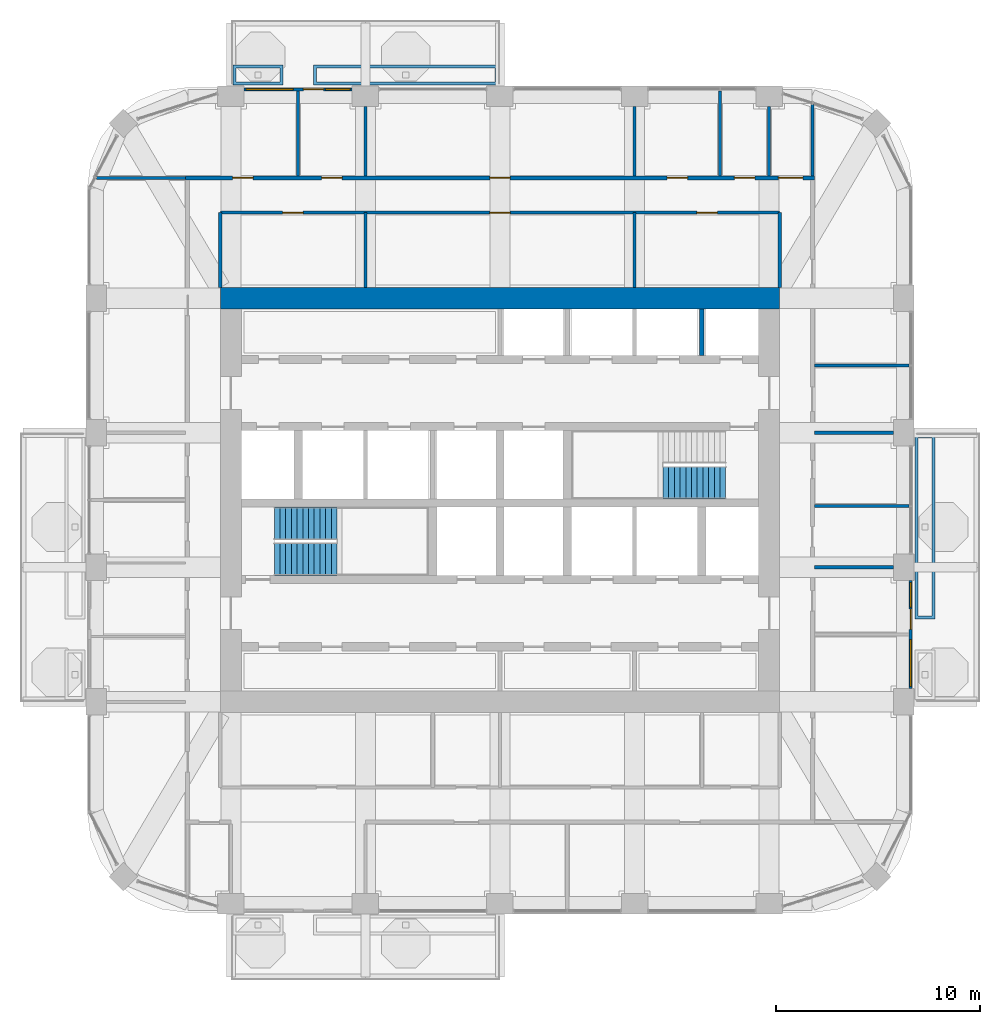
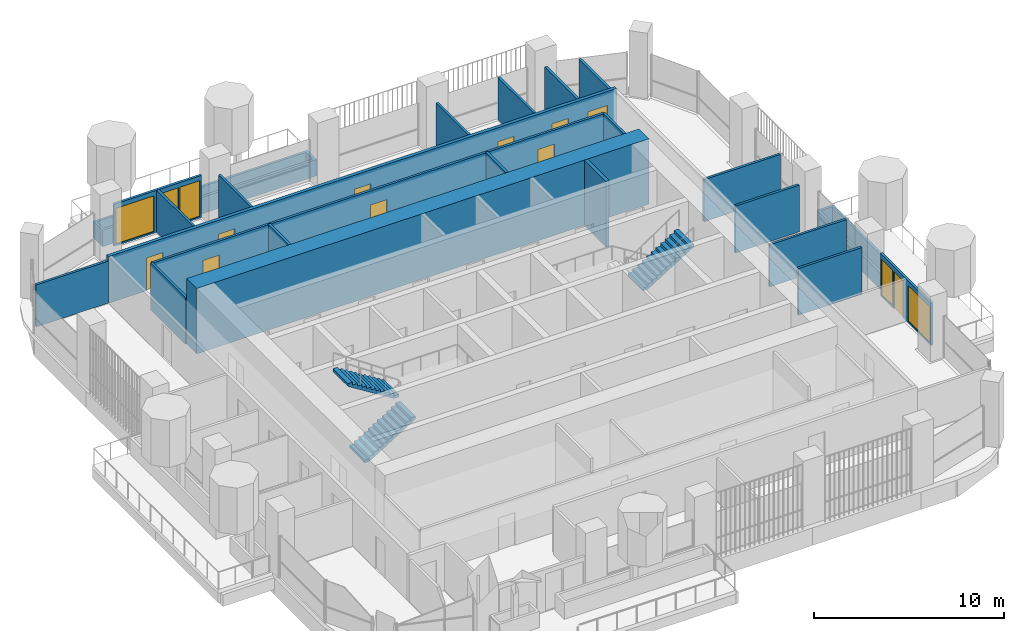
# One storey, part 14 of 20: 24 walls, 11 doors, 4 windows, 3 stair flights, 15 openings, 2 elements without a shape of their own.
"""IFC4 building model written with IfcOpenShell, lengths in metres."""

from ifc_helpers import new_model, si_unit, direction, frame, frame_2d, origin, place, context, subcontext, project, spatial, polyline, rectangle, outline, extrude, material, layer, layer_set, type_object, element, fill, aggregate, save


model = new_model("IFC4")

# Units and contexts
model_context = context("Model", 3, precision=1e-05, world=origin(), true_north=direction((0.0, 1.0)))
body_context = subcontext(model_context, "Body", "Model", "MODEL_VIEW")
ifc_project = project(units=[si_unit("LENGTHUNIT", "METRE"), si_unit("AREAUNIT", "SQUARE_METRE"), si_unit("VOLUMEUNIT", "CUBIC_METRE"), si_unit("PLANEANGLEUNIT", "RADIAN"), si_unit("MASSUNIT", "GRAM", prefix="KILO")], contexts=[model_context])

# Site, building, storey
site_placement = place(None, origin())
site = spatial("IfcSite", under=ifc_project, at=site_placement, CompositionType="ELEMENT")
building_placement = place(site_placement, origin())
building = spatial("IfcBuilding", under=site, at=building_placement, Name="Cobogo Forest Laboratory Tower", CompositionType="ELEMENT")
storey_placement = place(building_placement, frame((0.0, 0.0, 254.39990234375)))
storey = spatial("IfcBuildingStorey", under=building, at=storey_placement, Name="L58", CompositionType="ELEMENT", Elevation=254.39990234375)

# Wall
ifc_material_1 = material(Name="Concrete HA-50 (C50/60)", Category="concrete")
ifc_layer_1 = layer(ifc_material_1, 1.050048828125)
ifc_layer_set_1 = layer_set([ifc_layer_1], Name="CW1050 core outer wall 1050")
wall_type_1 = type_object("IfcWallType", Name="CW1050 core outer wall 1050", PredefinedType="SHEAR", material=ifc_layer_set_1)
wall_1_placement = place(storey_placement, frame((40.125, 33.0, 0.0), z_axis=(0.0, 0.0, 1.0), x_axis=(-1.0, 0.0, 0.0)))
element("IfcWall", 1, at=wall_1_placement, inside=storey, type_object=wall_type_1, Name="Core wall CO-N L58", PredefinedType="SHEAR", context=body_context, shape_type="SweptSolid", body=[
    extrude(rectangle(XDim=27.449951171875, YDim=1.050048828125, at=frame_2d((13.72509765625, 0.0))), origin(), (0.0, 0.0, 1.0), 4.2001953125),
])

# Wall, openings, door, windows
ifc_material_2 = material(Name="Aluminium framed glazed screen", Category="aluminium")
ifc_layer_2 = layer(ifc_material_2, 0.14990234375)
ifc_layer_set_2 = layer_set([ifc_layer_2], Name="GS1 glazed door screen 150")
wall_type_2 = type_object("IfcWallType", Name="GS1 glazed door screen 150", PredefinedType="SOLIDWALL", material=ifc_layer_set_2)
wall_2_placement = place(storey_placement, frame((46.550048828125, 13.85009765625, 0.0), z_axis=(0.0, 0.0, 1.0), x_axis=(0.0, 1.0, 0.0)))
wall_2 = element("IfcWall", 2, at=wall_2_placement, inside=storey, type_object=wall_type_2, Name="Door screen BAL-E1 L58", PredefinedType="SOLIDWALL", context=body_context, shape_type="SweptSolid", body=[
    extrude(rectangle(XDim=5.2998046875, YDim=0.14990234375, at=frame_2d((2.64990234375, 0.0))), origin(), (0.0, 0.0, 1.0), 2.7001953125),
])
opening_1_placement = place(wall_2_placement, frame((2.89990234375, 0.0, 0.0)))
opening_1 = element("IfcOpeningElement", 3, at=opening_1_placement, cuts=wall_2, Name="Opening L58-D21", PredefinedType="OPENING", context=body_context, shape_type="SweptSolid", body=[
    extrude(rectangle(XDim=1.0, YDim=2.39990234375, at=frame_2d((0.5, 1.199951171875))), frame((0.0, 0.0849609375, 0.0), z_axis=(0.0, -1.0, 0.0), x_axis=(1.0, 0.0, 0.0)), (0.0, 0.0, 1.0), 0.169921875),
])
opening_2_placement = place(wall_2_placement, frame((0.10009765625, 0.0, 0.10009765625)))
opening_2 = element("IfcOpeningElement", 4, at=opening_2_placement, cuts=wall_2, Name="Opening L58-W04", PredefinedType="OPENING", context=body_context, shape_type="SweptSolid", body=[
    extrude(rectangle(XDim=2.300048828125, YDim=2.300048828125, at=frame_2d((1.14990234375, 1.14990234375))), frame((0.0, 0.0849609375, 0.0), z_axis=(0.0, -1.0, 0.0), x_axis=(1.0, 0.0, 0.0)), (0.0, 0.0, 1.0), 0.169921875),
])
opening_3_placement = place(wall_2_placement, frame((4.0, 0.0, 0.10009765625)))
opening_3 = element("IfcOpeningElement", 5, at=opening_3_placement, cuts=wall_2, Name="Opening L58-W06", PredefinedType="OPENING", context=body_context, shape_type="SweptSolid", body=[
    extrude(rectangle(XDim=1.199951171875, YDim=2.300048828125, at=frame_2d((0.60009765625, 1.14990234375))), frame((0.0, 0.0849609375, 0.0), z_axis=(0.0, -1.0, 0.0), x_axis=(1.0, 0.0, 0.0)), (0.0, 0.0, 1.0), 0.169921875),
])
ifc_material_3 = material(Name="Aluminium glazed door", Category="aluminium")
door_type_1 = type_object("IfcDoorType", Name="DB1 balcony door 1000 glazed", OperationType="SINGLE_SWING_LEFT", PredefinedType="DOOR", material=ifc_material_3)
door_1_placement = place(opening_1_placement, origin())
door_1 = element("IfcDoor", 6, at=door_1_placement, inside=storey, type_object=door_type_1, Name="Door L58-BAL-E1", OperationType="SINGLE_SWING_RIGHT", OverallHeight=2.39990234375, OverallWidth=1.0, PredefinedType="DOOR", context=body_context, shape_type="SweptSolid", body=[
    extrude(rectangle(XDim=1.0, YDim=2.39990234375, at=frame_2d((0.5, 1.199951171875))), frame((0.0, 0.02490234375, 0.0), z_axis=(0.0, -1.0, 0.0), x_axis=(1.0, 0.0, 0.0)), (0.0, 0.0, 1.0), 0.050048828125),
])
fill(opening_1, door_1)
ifc_material_4 = material(Name="Aluminium framed glazing", Category="aluminium")
window_type_1 = type_object("IfcWindowType", Name="WG21 fixed glazed light 2300x2300", PartitioningType="SINGLE_PANEL", PredefinedType="WINDOW", material=ifc_material_4)
window_1_placement = place(opening_2_placement, origin())
window_1 = element("IfcWindow", 7, at=window_1_placement, inside=storey, type_object=window_type_1, Name="Window L58-BAL-E1-1", OverallHeight=2.300048828125, OverallWidth=2.300048828125, PartitioningType="SINGLE_PANEL", PredefinedType="WINDOW", context=body_context, shape_type="SweptSolid", body=[
    extrude(rectangle(XDim=2.300048828125, YDim=2.300048828125, at=frame_2d((1.14990234375, 1.14990234375))), frame((0.0, 0.030029296875, 0.0), z_axis=(0.0, -1.0, 0.0), x_axis=(1.0, 0.0, 0.0)), (0.0, 0.0, 1.0), 0.06005859375),
])
fill(opening_2, window_1)
window_type_2 = type_object("IfcWindowType", Name="WG22 fixed glazed light 1200x2300", PartitioningType="SINGLE_PANEL", PredefinedType="WINDOW", material=ifc_material_4)
window_2_placement = place(opening_3_placement, origin())
window_2 = element("IfcWindow", 8, at=window_2_placement, inside=storey, type_object=window_type_2, Name="Window L58-BAL-E1-2", OverallHeight=2.300048828125, OverallWidth=1.199951171875, PartitioningType="SINGLE_PANEL", PredefinedType="WINDOW", context=body_context, shape_type="SweptSolid", body=[
    extrude(rectangle(XDim=1.199951171875, YDim=2.300048828125, at=frame_2d((0.60009765625, 1.14990234375))), frame((0.0, 0.030029296875, 0.0), z_axis=(0.0, -1.0, 0.0), x_axis=(1.0, 0.0, 0.0)), (0.0, 0.0, 1.0), 0.06005859375),
])
fill(opening_3, window_2)

wall_3_placement = place(storey_placement, frame((19.14990234375, 43.25, 0.0), z_axis=(0.0, 0.0, 1.0), x_axis=(-1.0, 0.0, 0.0)))
wall_3 = element("IfcWall", 9, at=wall_3_placement, inside=storey, type_object=wall_type_2, Name="Door screen BAL-N1 L58", PredefinedType="SOLIDWALL", context=body_context, shape_type="SweptSolid", body=[
    extrude(rectangle(XDim=5.2998046875, YDim=0.14990234375, at=frame_2d((2.64990234375, 0.0))), origin(), (0.0, 0.0, 1.0), 2.7001953125),
])
opening_4_placement = place(wall_3_placement, frame((1.39990234375, 0.0, 0.0)))
opening_4 = element("IfcOpeningElement", 10, at=opening_4_placement, cuts=wall_3, Name="Opening L58-D52", PredefinedType="OPENING", context=body_context, shape_type="SweptSolid", body=[
    extrude(rectangle(XDim=1.0, YDim=2.39990234375, at=frame_2d((0.5, 1.199951171875))), frame((0.0, 0.0849609375, 0.0), z_axis=(0.0, -1.0, 0.0), x_axis=(1.0, 0.0, 0.0)), (0.0, 0.0, 1.0), 0.169921875),
])
opening_5_placement = place(wall_3_placement, frame((0.10009765625, 0.0, 0.10009765625)))
opening_5 = element("IfcOpeningElement", 11, at=opening_5_placement, cuts=wall_3, Name="Opening L58-W08", PredefinedType="OPENING", context=body_context, shape_type="SweptSolid", body=[
    extrude(rectangle(XDim=1.199951171875, YDim=2.300048828125, at=frame_2d((0.60009765625, 1.14990234375))), frame((0.0, 0.0849609375, 0.0), z_axis=(0.0, -1.0, 0.0), x_axis=(1.0, 0.0, 0.0)), (0.0, 0.0, 1.0), 0.169921875),
])
opening_6_placement = place(wall_3_placement, frame((2.89990234375, 0.0, 0.10009765625)))
opening_6 = element("IfcOpeningElement", 12, at=opening_6_placement, cuts=wall_3, Name="Opening L58-W07", PredefinedType="OPENING", context=body_context, shape_type="SweptSolid", body=[
    extrude(rectangle(XDim=2.300048828125, YDim=2.300048828125, at=frame_2d((1.14990234375, 1.14990234375))), frame((0.0, 0.0849609375, 0.0), z_axis=(0.0, -1.0, 0.0), x_axis=(1.0, 0.0, 0.0)), (0.0, 0.0, 1.0), 0.169921875),
])
door_2_placement = place(opening_4_placement, origin())
door_2 = element("IfcDoor", 13, at=door_2_placement, inside=storey, type_object=door_type_1, Name="Door L58-BAL-N1", OperationType="SINGLE_SWING_LEFT", OverallHeight=2.39990234375, OverallWidth=1.0, PredefinedType="DOOR", context=body_context, shape_type="SweptSolid", body=[
    extrude(rectangle(XDim=1.0, YDim=2.39990234375, at=frame_2d((0.5, 1.199951171875))), frame((0.0, 0.02490234375, 0.0), z_axis=(0.0, -1.0, 0.0), x_axis=(1.0, 0.0, 0.0)), (0.0, 0.0, 1.0), 0.050048828125),
])
fill(opening_4, door_2)
window_3_placement = place(opening_6_placement, origin())
window_3 = element("IfcWindow", 14, at=window_3_placement, inside=storey, type_object=window_type_1, Name="Window L58-BAL-N1-2", OverallHeight=2.300048828125, OverallWidth=2.300048828125, PartitioningType="SINGLE_PANEL", PredefinedType="WINDOW", context=body_context, shape_type="SweptSolid", body=[
    extrude(rectangle(XDim=2.300048828125, YDim=2.300048828125, at=frame_2d((1.14990234375, 1.14990234375))), frame((0.0, 0.030029296875, 0.0), z_axis=(0.0, -1.0, 0.0), x_axis=(1.0, 0.0, 0.0)), (0.0, 0.0, 1.0), 0.06005859375),
])
fill(opening_6, window_3)
window_4_placement = place(opening_5_placement, origin())
window_4 = element("IfcWindow", 15, at=window_4_placement, inside=storey, type_object=window_type_2, Name="Window L58-BAL-N1-1", OverallHeight=2.300048828125, OverallWidth=1.199951171875, PartitioningType="SINGLE_PANEL", PredefinedType="WINDOW", context=body_context, shape_type="SweptSolid", body=[
    extrude(rectangle(XDim=1.199951171875, YDim=2.300048828125, at=frame_2d((0.60009765625, 1.14990234375))), frame((0.0, 0.030029296875, 0.0), z_axis=(0.0, -1.0, 0.0), x_axis=(1.0, 0.0, 0.0)), (0.0, 0.0, 1.0), 0.06005859375),
])
fill(opening_5, window_4)

# Wall, openings, doors
ifc_material_5 = material(Name="Gypsum board on steel studs", Category="steel")
ifc_layer_3 = layer(ifc_material_5, 0.14990234375)
ifc_layer_set_3 = layer_set([ifc_layer_3], Name="PT1 laboratory partition 150")
wall_type_3 = type_object("IfcWallType", Name="PT1 laboratory partition 150", PredefinedType="PARTITIONING", material=ifc_layer_set_3)
wall_4_placement = place(storey_placement, frame((12.675048828125, 37.199951171875, 0.0), z_axis=(0.0, 0.0, 1.0), x_axis=(1.0, 0.0, 0.0)))
wall_4 = element("IfcWall", 16, at=wall_4_placement, inside=storey, type_object=wall_type_3, Name="Partition CSTRIP-N L58", PredefinedType="PARTITIONING", context=body_context, shape_type="SweptSolid", body=[
    extrude(rectangle(XDim=27.449951171875, YDim=0.14990234375, at=frame_2d((13.72509765625, 0.0))), origin(), (0.0, 0.0, 1.0), 3.0),
])
opening_7_placement = place(wall_4_placement, frame((3.0625, 0.0, 0.0)))
opening_7 = element("IfcOpeningElement", 17, at=opening_7_placement, cuts=wall_4, Name="Opening L58-D43", PredefinedType="OPENING", context=body_context, shape_type="SweptSolid", body=[
    extrude(rectangle(XDim=1.0, YDim=2.10009765625, at=frame_2d((0.5, 1.050048828125))), frame((0.0, 0.0849609375, 0.0), z_axis=(0.0, -1.0, 0.0), x_axis=(1.0, 0.0, 0.0)), (0.0, 0.0, 1.0), 0.169921875),
])
opening_8_placement = place(wall_4_placement, frame((13.22509765625, 0.0, 0.0)))
opening_8 = element("IfcOpeningElement", 18, at=opening_8_placement, cuts=wall_4, Name="Opening L58-D44", PredefinedType="OPENING", context=body_context, shape_type="SweptSolid", body=[
    extrude(rectangle(XDim=1.0, YDim=2.10009765625, at=frame_2d((0.5, 1.050048828125))), frame((0.0, 0.0849609375, 0.0), z_axis=(0.0, -1.0, 0.0), x_axis=(1.0, 0.0, 0.0)), (0.0, 0.0, 1.0), 0.169921875),
])
opening_9_placement = place(wall_4_placement, frame((23.387451171875, 0.0, 0.0)))
opening_9 = element("IfcOpeningElement", 19, at=opening_9_placement, cuts=wall_4, Name="Opening L58-D45", PredefinedType="OPENING", context=body_context, shape_type="SweptSolid", body=[
    extrude(rectangle(XDim=1.0, YDim=2.10009765625, at=frame_2d((0.5, 1.050048828125))), frame((0.0, 0.0849609375, 0.0), z_axis=(0.0, -1.0, 0.0), x_axis=(1.0, 0.0, 0.0)), (0.0, 0.0, 1.0), 0.169921875),
])
ifc_material_6 = material(Name="Timber fire door", Category="wood")
door_type_2 = type_object("IfcDoorType", Name="FD2 fire door 1000 EI2 30", OperationType="SINGLE_SWING_LEFT", PredefinedType="DOOR", material=ifc_material_6)
door_3_placement = place(opening_7_placement, origin())
door_3 = element("IfcDoor", 20, at=door_3_placement, inside=storey, type_object=door_type_2, Name="Door L58-CSN1", OperationType="SINGLE_SWING_LEFT", OverallHeight=2.10009765625, OverallWidth=1.0, PredefinedType="DOOR", context=body_context, shape_type="SweptSolid", body=[
    extrude(rectangle(XDim=1.0, YDim=2.10009765625, at=frame_2d((0.5, 1.050048828125))), frame((0.0, 0.02490234375, 0.0), z_axis=(0.0, -1.0, 0.0), x_axis=(1.0, 0.0, 0.0)), (0.0, 0.0, 1.0), 0.050048828125),
])
fill(opening_7, door_3)
door_4_placement = place(opening_8_placement, origin())
door_4 = element("IfcDoor", 21, at=door_4_placement, inside=storey, type_object=door_type_2, Name="Door L58-CSN2", OperationType="SINGLE_SWING_RIGHT", OverallHeight=2.10009765625, OverallWidth=1.0, PredefinedType="DOOR", context=body_context, shape_type="SweptSolid", body=[
    extrude(rectangle(XDim=1.0, YDim=2.10009765625, at=frame_2d((0.5, 1.050048828125))), frame((0.0, 0.02490234375, 0.0), z_axis=(0.0, -1.0, 0.0), x_axis=(1.0, 0.0, 0.0)), (0.0, 0.0, 1.0), 0.050048828125),
])
fill(opening_8, door_4)
door_5_placement = place(opening_9_placement, origin())
door_5 = element("IfcDoor", 22, at=door_5_placement, inside=storey, type_object=door_type_2, Name="Door L58-CSN3", OperationType="SINGLE_SWING_RIGHT", OverallHeight=2.10009765625, OverallWidth=1.0, PredefinedType="DOOR", context=body_context, shape_type="SweptSolid", body=[
    extrude(rectangle(XDim=1.0, YDim=2.10009765625, at=frame_2d((0.5, 1.050048828125))), frame((0.0, 0.02490234375, 0.0), z_axis=(0.0, -1.0, 0.0), x_axis=(1.0, 0.0, 0.0)), (0.0, 0.0, 1.0), 0.050048828125),
])
fill(opening_9, door_5)

# Walls
for number, where, z_axis, x_axis, name in (
    (23, (12.675048828125, 33.52490234375, 0.0), (0.0, 0.0, 1.0), (0.0, 1.0, 0.0), "Partition CSTRIP-NW L58"),
    (24, (40.125, 33.52490234375, 0.0), (0.0, 0.0, 1.0), (0.0, 1.0, 0.0), "Partition CSTRIP-NE L58"),
    (25, (19.800048828125, 33.52490234375, 0.0), (0.0, 0.0, 1.0), (0.0, 1.0, 0.0), "Partition CSTRIP-N19.8 L58"),
    (26, (33.0, 33.52490234375, 0.0), (0.0, 0.0, 1.0), (0.0, 1.0, 0.0), "Partition CSTRIP-N33 L58"),
):
    element("IfcWall", number, at=place(storey_placement, frame(where, z_axis=z_axis, x_axis=x_axis)), inside=storey, type_object=wall_type_3, Name=name, PredefinedType="PARTITIONING", context=body_context, shape_type="SweptSolid", body=[
        extrude(rectangle(XDim=3.675048828125, YDim=0.14990234375, at=frame_2d((1.83740234375, 0.0))), origin(), (0.0, 0.0, 1.0), 3.0),
    ])
wall_5_placement = place(storey_placement, frame((41.72509765625, 42.4951171875, 0.0), z_axis=(0.0, 0.0, 1.0), x_axis=(0.0, -1.0, 0.0)))
element("IfcWall", 27, at=wall_5_placement, inside=storey, type_object=wall_type_3, Name="Partition PW-NE L58", PredefinedType="PARTITIONING", context=body_context, shape_type="SweptSolid", body=[
    extrude(rectangle(XDim=3.4951171875, YDim=0.14990234375, at=frame_2d((1.74755859375, 0.0))), origin(), (0.0, 0.0, 1.0), 2.7001953125),
])
wall_6_placement = place(storey_placement, frame((6.6025390625, 38.89990234375, 0.0), z_axis=(0.0, 0.0, 1.0), x_axis=(1.0, 0.0, 0.0)))
element("IfcWall", 28, at=wall_6_placement, inside=storey, type_object=wall_type_3, Name="Partition PW-NW L58", PredefinedType="PARTITIONING", context=body_context, shape_type="SweptSolid", body=[
    extrude(rectangle(XDim=4.37255859375, YDim=0.14990234375, at=frame_2d((2.186279296875, 0.0))), origin(), (0.0, 0.0, 1.0), 2.7001953125),
])
wall_7_placement = place(storey_placement, frame((46.469970703125, 22.800048828125, 0.0), z_axis=(0.0, 0.0, 1.0), x_axis=(-1.0, 0.0, 0.0)))
element("IfcWall", 29, at=wall_7_placement, inside=storey, type_object=wall_type_3, Name="Partition SVC-E1-1 L58", PredefinedType="PARTITIONING", context=body_context, shape_type="SweptSolid", body=[
    extrude(rectangle(XDim=4.64501953125, YDim=0.14990234375, at=frame_2d((2.322509765625, 0.0))), origin(), (0.0, 0.0, 1.0), 2.7001953125),
])
for number, where, z_axis, x_axis, name in (
    (30, (45.699951171875, 26.39990234375, 0.0), (0.0, 0.0, 1.0), (-1.0, 0.0, 0.0), "Partition SVC-E2-1 L58"),
    (31, (45.699951171875, 19.800048828125, 0.0), (0.0, 0.0, 1.0), (-1.0, 0.0, 0.0), "Partition CUT-E19.8-1 L58"),
):
    element("IfcWall", number, at=place(storey_placement, frame(where, z_axis=z_axis, x_axis=x_axis)), inside=storey, type_object=wall_type_3, Name=name, PredefinedType="PARTITIONING", context=body_context, shape_type="SweptSolid", body=[
        extrude(rectangle(XDim=3.875, YDim=0.14990234375, at=frame_2d((1.9375, 0.0))), origin(), (0.0, 0.0, 1.0), 3.0),
    ])
wall_8_placement = place(storey_placement, frame((46.469970703125, 29.699951171875, 0.0), z_axis=(0.0, 0.0, 1.0), x_axis=(-1.0, 0.0, 0.0)))
element("IfcWall", 32, at=wall_8_placement, inside=storey, type_object=wall_type_3, Name="Partition CUT-E29.7-1 L58", PredefinedType="PARTITIONING", context=body_context, shape_type="SweptSolid", body=[
    extrude(rectangle(XDim=4.64501953125, YDim=0.14990234375, at=frame_2d((2.322509765625, 0.0))), origin(), (0.0, 0.0, 1.0), 2.7001953125),
])
wall_9_placement = place(storey_placement, frame((37.199951171875, 43.169921875, 0.0), z_axis=(0.0, 0.0, 1.0), x_axis=(0.0, -1.0, 0.0)))
element("IfcWall", 33, at=wall_9_placement, inside=storey, type_object=wall_type_3, Name="Partition SVC-N1-1 L58", PredefinedType="PARTITIONING", context=body_context, shape_type="SweptSolid", body=[
    extrude(rectangle(XDim=4.169921875, YDim=0.14990234375, at=frame_2d((2.0849609375, 0.0))), origin(), (0.0, 0.0, 1.0), 2.7001953125),
])
wall_10_placement = place(storey_placement, frame((39.60009765625, 42.39990234375, 0.0), z_axis=(0.0, 0.0, 1.0), x_axis=(0.0, -1.0, 0.0)))
element("IfcWall", 34, at=wall_10_placement, inside=storey, type_object=wall_type_3, Name="Partition SVC-N2-1 L58", PredefinedType="PARTITIONING", context=body_context, shape_type="SweptSolid", body=[
    extrude(rectangle(XDim=3.39990234375, YDim=0.14990234375, at=frame_2d((1.699951171875, 0.0))), origin(), (0.0, 0.0, 1.0), 3.0),
])
wall_11_placement = place(storey_placement, frame((16.5, 43.169921875, 0.0), z_axis=(0.0, 0.0, 1.0), x_axis=(0.0, -1.0, 0.0)))
element("IfcWall", 35, at=wall_11_placement, inside=storey, type_object=wall_type_3, Name="Partition CUT-N16.5-1 L58", PredefinedType="PARTITIONING", context=body_context, shape_type="SweptSolid", body=[
    extrude(rectangle(XDim=4.169921875, YDim=0.14990234375, at=frame_2d((2.0849609375, 0.0))), origin(), (0.0, 0.0, 1.0), 2.7001953125),
])
for number, where, z_axis, x_axis, name in (
    (36, (19.800048828125, 42.39990234375, 0.0), (0.0, 0.0, 1.0), (0.0, -1.0, 0.0), "Partition CUT-N19.8-1 L58"),
    (37, (33.0, 42.39990234375, 0.0), (0.0, 0.0, 1.0), (0.0, -1.0, 0.0), "Partition CUT-N33-1 L58"),
):
    element("IfcWall", number, at=place(storey_placement, frame(where, z_axis=z_axis, x_axis=x_axis)), inside=storey, type_object=wall_type_3, Name=name, PredefinedType="PARTITIONING", context=body_context, shape_type="SweptSolid", body=[
        extrude(rectangle(XDim=3.39990234375, YDim=0.14990234375, at=frame_2d((1.699951171875, 0.0))), origin(), (0.0, 0.0, 1.0), 3.0),
    ])

# Wall, openings, doors
ifc_layer_4 = layer(ifc_material_5, 0.199951171875)
ifc_layer_set_4 = layer_set([ifc_layer_4], Name="PT2 fire-rated corridor partition 200")
wall_type_4 = type_object("IfcWallType", Name="PT2 fire-rated corridor partition 200", PredefinedType="PARTITIONING", material=ifc_layer_set_4)
wall_12_placement = place(storey_placement, frame((10.97509765625, 38.89990234375, 0.0), z_axis=(0.0, 0.0, 1.0), x_axis=(1.0, 0.0, 0.0)))
wall_12 = element("IfcWall", 38, at=wall_12_placement, inside=storey, type_object=wall_type_4, Name="Partition CORR-N L58", PredefinedType="PARTITIONING", context=body_context, shape_type="SweptSolid", body=[
    extrude(rectangle(XDim=30.849853515625, YDim=0.199951171875, at=frame_2d((15.4248046875, 0.0))), origin(), (0.0, 0.0, 1.0), 3.0),
])
opening_10_placement = place(wall_12_placement, frame((2.3125, 0.0, 0.0)))
opening_10 = element("IfcOpeningElement", 39, at=opening_10_placement, cuts=wall_12, Name="Opening L58-D46", PredefinedType="OPENING", context=body_context, shape_type="SweptSolid", body=[
    extrude(rectangle(XDim=1.0, YDim=2.10009765625, at=frame_2d((0.5, 1.050048828125))), frame((0.0, 0.10986328125, 0.0), z_axis=(0.0, -1.0, 0.0), x_axis=(1.0, 0.0, 0.0)), (0.0, 0.0, 1.0), 0.219970703125),
])
opening_11_placement = place(wall_12_placement, frame((6.675048828125, 0.0, 0.0)))
opening_11 = element("IfcOpeningElement", 40, at=opening_11_placement, cuts=wall_12, Name="Opening L58-D47", PredefinedType="OPENING", context=body_context, shape_type="SweptSolid", body=[
    extrude(rectangle(XDim=1.0, YDim=2.10009765625, at=frame_2d((0.5, 1.050048828125))), frame((0.0, 0.10986328125, 0.0), z_axis=(0.0, -1.0, 0.0), x_axis=(1.0, 0.0, 0.0)), (0.0, 0.0, 1.0), 0.219970703125),
])
opening_12_placement = place(wall_12_placement, frame((14.925048828125, 0.0, 0.0)))
opening_12 = element("IfcOpeningElement", 41, at=opening_12_placement, cuts=wall_12, Name="Opening L58-D48", PredefinedType="OPENING", context=body_context, shape_type="SweptSolid", body=[
    extrude(rectangle(XDim=1.0, YDim=2.10009765625, at=frame_2d((0.5, 1.050048828125))), frame((0.0, 0.10986328125, 0.0), z_axis=(0.0, -1.0, 0.0), x_axis=(1.0, 0.0, 0.0)), (0.0, 0.0, 1.0), 0.219970703125),
])
opening_13_placement = place(wall_12_placement, frame((23.625, 0.0, 0.0)))
opening_13 = element("IfcOpeningElement", 42, at=opening_13_placement, cuts=wall_12, Name="Opening L58-D49", PredefinedType="OPENING", context=body_context, shape_type="SweptSolid", body=[
    extrude(rectangle(XDim=1.0, YDim=2.10009765625, at=frame_2d((0.5, 1.050048828125))), frame((0.0, 0.10986328125, 0.0), z_axis=(0.0, -1.0, 0.0), x_axis=(1.0, 0.0, 0.0)), (0.0, 0.0, 1.0), 0.219970703125),
])
opening_14_placement = place(wall_12_placement, frame((26.925048828125, 0.0, 0.0)))
opening_14 = element("IfcOpeningElement", 43, at=opening_14_placement, cuts=wall_12, Name="Opening L58-D50", PredefinedType="OPENING", context=body_context, shape_type="SweptSolid", body=[
    extrude(rectangle(XDim=1.0, YDim=2.10009765625, at=frame_2d((0.5, 1.050048828125))), frame((0.0, 0.10986328125, 0.0), z_axis=(0.0, -1.0, 0.0), x_axis=(1.0, 0.0, 0.0)), (0.0, 0.0, 1.0), 0.219970703125),
])
opening_15_placement = place(wall_12_placement, frame((29.08740234375, 0.0, 0.0)))
opening_15 = element("IfcOpeningElement", 44, at=opening_15_placement, cuts=wall_12, Name="Opening L58-D51", PredefinedType="OPENING", context=body_context, shape_type="SweptSolid", body=[
    extrude(rectangle(XDim=1.199951171875, YDim=2.10009765625, at=frame_2d((0.60009765625, 1.050048828125))), frame((0.0, 0.10986328125, 0.0), z_axis=(0.0, -1.0, 0.0), x_axis=(1.0, 0.0, 0.0)), (0.0, 0.0, 1.0), 0.219970703125),
])
ifc_material_7 = material(Name="Timber door", Category="wood")
door_type_3 = type_object("IfcDoorType", Name="D2 laboratory door 1200 unequal pair", OperationType="DOUBLE_DOOR_SINGLE_SWING", PredefinedType="DOOR", material=ifc_material_7)
door_6_placement = place(opening_15_placement, origin())
door_6 = element("IfcDoor", 45, at=door_6_placement, inside=storey, type_object=door_type_3, Name="Door L58-N4", OperationType="DOUBLE_DOOR_SINGLE_SWING", OverallHeight=2.10009765625, OverallWidth=1.199951171875, PredefinedType="DOOR", context=body_context, shape_type="SweptSolid", body=[
    extrude(rectangle(XDim=1.199951171875, YDim=2.10009765625, at=frame_2d((0.60009765625, 1.050048828125))), frame((0.0, 0.02490234375, 0.0), z_axis=(0.0, -1.0, 0.0), x_axis=(1.0, 0.0, 0.0)), (0.0, 0.0, 1.0), 0.050048828125),
])
fill(opening_15, door_6)
door_7_placement = place(opening_10_placement, origin())
door_7 = element("IfcDoor", 46, at=door_7_placement, inside=storey, type_object=door_type_2, Name="Door L58-N1", OperationType="SINGLE_SWING_LEFT", OverallHeight=2.10009765625, OverallWidth=1.0, PredefinedType="DOOR", context=body_context, shape_type="SweptSolid", body=[
    extrude(rectangle(XDim=1.0, YDim=2.10009765625, at=frame_2d((0.5, 1.050048828125))), frame((0.0, 0.02490234375, 0.0), z_axis=(0.0, -1.0, 0.0), x_axis=(1.0, 0.0, 0.0)), (0.0, 0.0, 1.0), 0.050048828125),
])
fill(opening_10, door_7)
door_8_placement = place(opening_11_placement, origin())
door_8 = element("IfcDoor", 47, at=door_8_placement, inside=storey, type_object=door_type_2, Name="Door L58-N2", OperationType="SINGLE_SWING_LEFT", OverallHeight=2.10009765625, OverallWidth=1.0, PredefinedType="DOOR", context=body_context, shape_type="SweptSolid", body=[
    extrude(rectangle(XDim=1.0, YDim=2.10009765625, at=frame_2d((0.5, 1.050048828125))), frame((0.0, 0.02490234375, 0.0), z_axis=(0.0, -1.0, 0.0), x_axis=(1.0, 0.0, 0.0)), (0.0, 0.0, 1.0), 0.050048828125),
])
fill(opening_11, door_8)
door_9_placement = place(opening_12_placement, origin())
door_9 = element("IfcDoor", 48, at=door_9_placement, inside=storey, type_object=door_type_2, Name="Door L58-N3", OperationType="SINGLE_SWING_RIGHT", OverallHeight=2.10009765625, OverallWidth=1.0, PredefinedType="DOOR", context=body_context, shape_type="SweptSolid", body=[
    extrude(rectangle(XDim=1.0, YDim=2.10009765625, at=frame_2d((0.5, 1.050048828125))), frame((0.0, 0.02490234375, 0.0), z_axis=(0.0, -1.0, 0.0), x_axis=(1.0, 0.0, 0.0)), (0.0, 0.0, 1.0), 0.050048828125),
])
fill(opening_12, door_9)
door_10_placement = place(opening_13_placement, origin())
door_10 = element("IfcDoor", 49, at=door_10_placement, inside=storey, type_object=door_type_2, Name="Door L58-MTG", OperationType="SINGLE_SWING_RIGHT", OverallHeight=2.10009765625, OverallWidth=1.0, PredefinedType="DOOR", context=body_context, shape_type="SweptSolid", body=[
    extrude(rectangle(XDim=1.0, YDim=2.10009765625, at=frame_2d((0.5, 1.050048828125))), frame((0.0, 0.02490234375, 0.0), z_axis=(0.0, -1.0, 0.0), x_axis=(1.0, 0.0, 0.0)), (0.0, 0.0, 1.0), 0.050048828125),
])
fill(opening_13, door_10)
door_11_placement = place(opening_14_placement, origin())
door_11 = element("IfcDoor", 50, at=door_11_placement, inside=storey, type_object=door_type_2, Name="Door L58-PAN", OperationType="SINGLE_SWING_RIGHT", OverallHeight=2.10009765625, OverallWidth=1.0, PredefinedType="DOOR", context=body_context, shape_type="SweptSolid", body=[
    extrude(rectangle(XDim=1.0, YDim=2.10009765625, at=frame_2d((0.5, 1.050048828125))), frame((0.0, 0.02490234375, 0.0), z_axis=(0.0, -1.0, 0.0), x_axis=(1.0, 0.0, 0.0)), (0.0, 0.0, 1.0), 0.050048828125),
])
fill(opening_14, door_11)

# Walls
ifc_material_8 = material(Name="Concrete HA-40 (C40/50)", Category="concrete")
ifc_layer_5 = layer(ifc_material_8, 0.14990234375)
ifc_layer_set_5 = layer_set([ifc_layer_5], Name="Planter box 1000x1050")
wall_type_5 = type_object("IfcWallType", Name="Planter box 1000x1050", PredefinedType="USERDEFINED", material=ifc_layer_set_5)
wall_13_placement = place(storey_placement, origin())
element("IfcWall", 51, at=wall_13_placement, inside=storey, type_object=wall_type_5, Name="Planter BAL-E1-2 L58", ObjectType="PLANTER", PredefinedType="USERDEFINED", context=body_context, shape_type="SweptSolid", body=[
    extrude(outline(polyline([(46.75, 17.25), (47.75, 17.25), (47.75, 26.300048828125), (46.75, 26.300048828125), (46.75, 17.25)]), holes=[polyline([(46.89990234375, 17.39990234375), (47.60009765625, 17.39990234375), (47.60009765625, 26.14990234375), (46.89990234375, 26.14990234375), (46.89990234375, 17.39990234375)])]), origin(), (0.0, 0.0, 1.0), 1.050048828125),
])
wall_14_placement = place(storey_placement, origin())
element("IfcWall", 52, at=wall_14_placement, inside=storey, type_object=wall_type_5, Name="Planter BAL-N1-1 L58", ObjectType="PLANTER", PredefinedType="USERDEFINED", context=body_context, shape_type="SweptSolid", body=[
    extrude(outline(polyline([(13.300048828125, 43.449951171875), (15.75, 43.449951171875), (15.75, 44.449951171875), (13.300048828125, 44.449951171875), (13.300048828125, 43.449951171875)]), holes=[polyline([(13.449951171875, 43.60009765625), (15.60009765625, 43.60009765625), (15.60009765625, 44.300048828125), (13.449951171875, 44.300048828125), (13.449951171875, 43.60009765625)])]), origin(), (0.0, 0.0, 1.0), 1.050048828125),
])
wall_15_placement = place(storey_placement, origin())
element("IfcWall", 53, at=wall_15_placement, inside=storey, type_object=wall_type_5, Name="Planter BAL-N1-2 L58", ObjectType="PLANTER", PredefinedType="USERDEFINED", context=body_context, shape_type="SweptSolid", body=[
    extrude(outline(polyline([(17.25, 43.449951171875), (26.300048828125, 43.449951171875), (26.300048828125, 44.449951171875), (17.25, 44.449951171875), (17.25, 43.449951171875)]), holes=[polyline([(17.39990234375, 43.60009765625), (26.14990234375, 43.60009765625), (26.14990234375, 44.300048828125), (17.39990234375, 44.300048828125), (17.39990234375, 43.60009765625)])]), origin(), (0.0, 0.0, 1.0), 1.050048828125),
])
ifc_material_9 = material(Name="Concrete block", Category="concrete")
ifc_layer_6 = layer(ifc_material_9, 0.199951171875)
ifc_layer_set_6 = layer_set([ifc_layer_6], Name="SW200 lift shaft separator 200")
wall_type_6 = type_object("IfcWallType", Name="SW200 lift shaft separator 200", PredefinedType="PARTITIONING", material=ifc_layer_set_6)
wall_16_placement = place(storey_placement, frame((36.300048828125, 30.199951171875, 0.0), z_axis=(0.0, 0.0, 1.0), x_axis=(0.0, 1.0, 0.0)))
element("IfcWall", 54, at=wall_16_placement, inside=storey, type_object=wall_type_6, Name="Core wall SEP-N7 L58", PredefinedType="PARTITIONING", context=body_context, shape_type="SweptSolid", body=[
    extrude(rectangle(XDim=2.275146484375, YDim=0.199951171875, at=frame_2d((1.1376953125, 0.0))), origin(), (0.0, 0.0, 1.0), 4.2001953125),
])

# Stair, stair flights
ifc_material_10 = material(Name="Precast concrete HA-40 (C40/50)", Category="concrete")
stair_type = type_object("IfcStairType", Name="ST24 exit stair 24 risers", PredefinedType="HALF_TURN_STAIR", material=ifc_material_10)
stair_1_placement = place(storey_placement, origin())
stair_1 = element("IfcStair", 55, at=stair_1_placement, inside=storey, type_object=stair_type, Name="Stair 1 L58 to L59", PredefinedType="HALF_TURN_STAIR")
stair_flight_type = type_object("IfcStairFlightType", Name="ST stair flight 280 going", PredefinedType="STRAIGHT", material=ifc_material_10)
stair_flight_1_placement = place(storey_placement, frame((15.324951171875, 20.199951171875, 0.0), z_axis=(0.0, 0.0, 1.0), x_axis=(1.0, 0.0, 0.0)))
stair_flight_1 = element("IfcStairFlight", 56, at=stair_flight_1_placement, type_object=stair_flight_type, Name="ST1 flight 1", NumberOfRisers=12, NumberOfTreads=11, PredefinedType="STRAIGHT", RiserHeight=0.175, TreadLength=0.28, context=body_context, shape_type="SweptSolid", body=[
    extrude(outline(polyline([(0.0, 0.0), (0.0, 0.175048828125), (0.280029296875, 0.175048828125), (0.280029296875, 0.35009765625), (0.56005859375, 0.35009765625), (0.56005859375, 0.52490234375), (0.840087890625, 0.52490234375), (0.840087890625, 0.699951171875), (1.1201171875, 0.699951171875), (1.1201171875, 0.875), (1.39990234375, 0.875), (1.39990234375, 1.050048828125), (1.679931640625, 1.050048828125), (1.679931640625, 1.22509765625), (1.9599609375, 1.22509765625), (1.9599609375, 1.39990234375), (2.239990234375, 1.39990234375), (2.239990234375, 1.574951171875), (2.52001953125, 1.574951171875), (2.52001953125, 1.75), (2.800048828125, 1.75), (2.800048828125, 1.925048828125), (3.080078125, 1.925048828125), (3.080078125, 2.10009765625), (3.080078125, 1.748291015625), (0.28271484375, 0.0), (0.0, 0.0)])), frame((0.0, 0.800048828125, 0.0), z_axis=(0.0, -1.0, 0.0), x_axis=(1.0, 0.0, 0.0)), (0.0, 0.0, 1.0), 1.60009765625),
])
stair_flight_2_placement = place(storey_placement, frame((18.405029296875, 21.949951171875, 2.10009765625), z_axis=(0.0, 0.0, 1.0), x_axis=(-1.0, 0.0, 0.0)))
stair_flight_2 = element("IfcStairFlight", 57, at=stair_flight_2_placement, type_object=stair_flight_type, Name="ST1 flight 2", NumberOfRisers=12, NumberOfTreads=11, PredefinedType="STRAIGHT", RiserHeight=0.175, TreadLength=0.28, context=body_context, shape_type="SweptSolid", body=[
    extrude(outline(polyline([(0.0, 0.0), (0.0, 0.175048828125), (0.280029296875, 0.175048828125), (0.280029296875, 0.35009765625), (0.56005859375, 0.35009765625), (0.56005859375, 0.52490234375), (0.840087890625, 0.52490234375), (0.840087890625, 0.699951171875), (1.1201171875, 0.699951171875), (1.1201171875, 0.875), (1.39990234375, 0.875), (1.39990234375, 1.050048828125), (1.679931640625, 1.050048828125), (1.679931640625, 1.22509765625), (1.9599609375, 1.22509765625), (1.9599609375, 1.39990234375), (2.239990234375, 1.39990234375), (2.239990234375, 1.574951171875), (2.52001953125, 1.574951171875), (2.52001953125, 1.75), (2.800048828125, 1.75), (2.800048828125, 1.925048828125), (3.080078125, 1.925048828125), (3.080078125, 2.10009765625), (3.080078125, 1.748291015625), (0.28271484375, 0.0), (0.0, 0.0)])), frame((0.0, 0.800048828125, 0.0), z_axis=(0.0, -1.0, 0.0), x_axis=(1.0, 0.0, 0.0)), (0.0, 0.0, 1.0), 1.60009765625),
])
aggregate(stair_1, [stair_flight_1, stair_flight_2])

# Stair, stair flight
stair_2_placement = place(storey_placement, origin())
stair_2 = element("IfcStair", 58, at=stair_2_placement, inside=storey, type_object=stair_type, Name="Stair 2 L58 to L59", PredefinedType="HALF_TURN_STAIR")
stair_flight_3_placement = place(storey_placement, frame((34.39501953125, 23.949951171875, 2.10009765625), z_axis=(0.0, 0.0, 1.0), x_axis=(1.0, 0.0, 0.0)))
stair_flight_3 = element("IfcStairFlight", 59, at=stair_flight_3_placement, type_object=stair_flight_type, Name="ST2 flight 2", NumberOfRisers=12, NumberOfTreads=11, PredefinedType="STRAIGHT", RiserHeight=0.175, TreadLength=0.28, context=body_context, shape_type="SweptSolid", body=[
    extrude(outline(polyline([(0.0, 0.0), (0.0, 0.175048828125), (0.280029296875, 0.175048828125), (0.280029296875, 0.35009765625), (0.56005859375, 0.35009765625), (0.56005859375, 0.52490234375), (0.840087890625, 0.52490234375), (0.840087890625, 0.699951171875), (1.1201171875, 0.699951171875), (1.1201171875, 0.875), (1.39990234375, 0.875), (1.39990234375, 1.050048828125), (1.679931640625, 1.050048828125), (1.679931640625, 1.22509765625), (1.9599609375, 1.22509765625), (1.9599609375, 1.39990234375), (2.239990234375, 1.39990234375), (2.239990234375, 1.574951171875), (2.52001953125, 1.574951171875), (2.52001953125, 1.75), (2.800048828125, 1.75), (2.800048828125, 1.925048828125), (3.080078125, 1.925048828125), (3.080078125, 2.10009765625), (3.080078125, 1.748291015625), (0.28271484375, 0.0), (0.0, 0.0)])), frame((0.0, 0.800048828125, 0.0), z_axis=(0.0, -1.0, 0.0), x_axis=(1.0, 0.0, 0.0)), (0.0, 0.0, 1.0), 1.60009765625),
])
aggregate(stair_2, [stair_flight_3])

save(model, "model.ifc")
